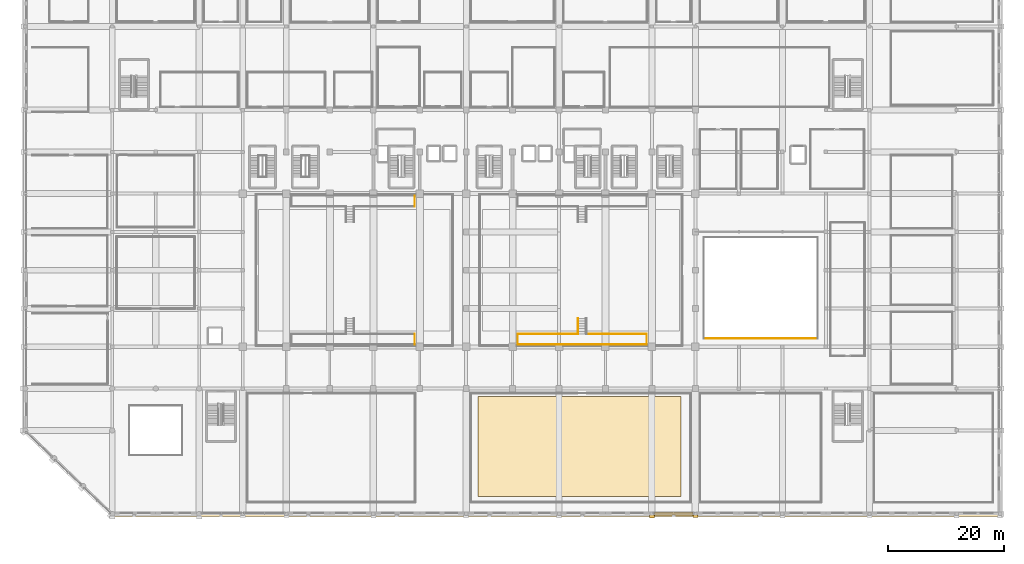
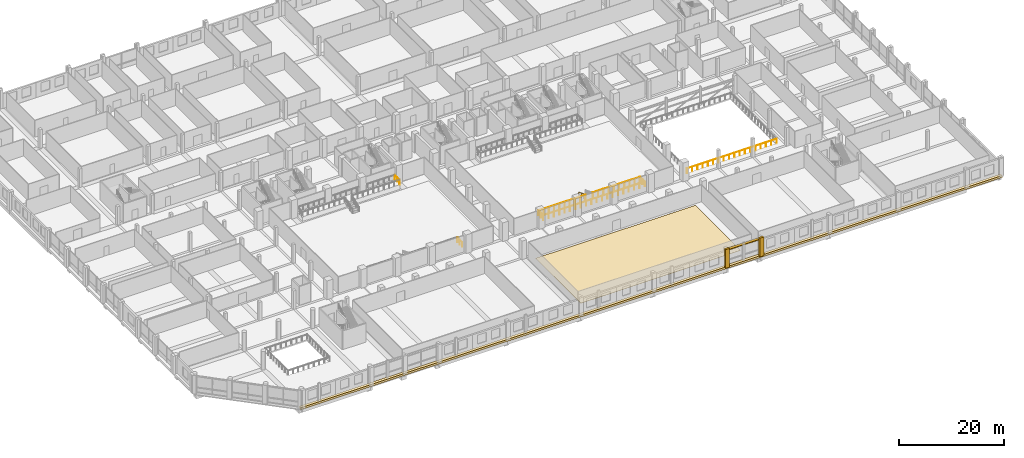
# One storey, part 60 of 68: 9 railings, 4 coverings, 1 shading device.
"""IFC4 building model written with IfcOpenShell, lengths in metres."""

from ifc_helpers import new_model, si_unit, direction, frame, origin, origin_2d, place, context, subcontext, project, spatial, rectangle, circle, extrude, material, layer, layer_set, type_object, element, save


model = new_model("IFC4")

# Units and contexts
model_context = context("Model", 3, precision=1e-05, world=origin(), true_north=direction((0.0, 1.0)))
body_context = subcontext(model_context, "Body", "Model", "MODEL_VIEW")
ifc_project = project(units=[si_unit("LENGTHUNIT", "METRE"), si_unit("AREAUNIT", "SQUARE_METRE"), si_unit("VOLUMEUNIT", "CUBIC_METRE"), si_unit("PLANEANGLEUNIT", "RADIAN"), si_unit("MASSUNIT", "GRAM", prefix="KILO")], contexts=[model_context])

# Site, building, storey
site_placement = place(None, origin())
site = spatial("IfcSite", under=ifc_project, at=site_placement, CompositionType="ELEMENT")
building_placement = place(site_placement, origin())
building = spatial("IfcBuilding", under=site, at=building_placement, Name="Akrevak Sports Hall", CompositionType="ELEMENT")
storey_placement = place(building_placement, frame((0.0, 0.0, 9.39990234375)))
storey = spatial("IfcBuildingStorey", under=building, at=storey_placement, Name="L02", CompositionType="ELEMENT", Elevation=9.39990234375)

# Coverings
ifc_material_1 = material(Name="Limestone Ashlar", Category="stone")
ifc_layer_1 = layer(ifc_material_1, 0.6201171875, Name="Limestone Ashlar")
ifc_layer_set_1 = layer_set([ifc_layer_1], Name="Limestone Ashlar")
covering_type_1 = type_object("IfcCoveringType", Name="ARC-COV-CRN-LIM", PredefinedType="MOLDING", material=ifc_layer_set_1)
covering_1_placement = place(storey_placement, frame((91.5, -0.139892578125, -0.349853515625), z_axis=(0.0, 0.0, 1.0), x_axis=(1.0, 0.0, 0.0)))
element("IfcCovering", 1, at=covering_1_placement, inside=storey, type_object=covering_type_1, Name="Tripartite Base Limestone Belt Course L02-BLT-01", PredefinedType="MOLDING", context=body_context, shape_type="SweptSolid", body=[
    extrude(rectangle(XDim=153.615966796875, YDim=0.60009765625, at=origin_2d()), origin(), (0.0, 0.0, 1.0), 0.4599609375),
])
ifc_material_2 = material(Name="Sprung Hard Maple Sports Flooring", Category="wood")
ifc_layer_2 = layer(ifc_material_2, 0.044921875, Name="Sprung Hard Maple Sports Flooring")
ifc_layer_set_2 = layer_set([ifc_layer_2], Name="Sprung Hard Maple Sports Flooring")
covering_type_2 = type_object("IfcCoveringType", Name="ARC-COV-FLR-MAPLE", PredefinedType="FLOORING", material=ifc_layer_set_2)
covering_2_placement = place(storey_placement, frame((95.5, 11.60009765625, 0.000244140625), z_axis=(0.0, 0.0, 1.0), x_axis=(1.0, 0.0, 0.0)))
element("IfcCovering", 2, at=covering_2_placement, inside=storey, type_object=covering_type_2, Name="Dance Studio 2 Sprung Flooring", PredefinedType="FLOORING", context=body_context, shape_type="SweptSolid", body=[
    extrude(rectangle(XDim=35.0, YDim=17.199951171875, at=origin_2d()), origin(), (0.0, 0.0, 1.0), 0.044921875),
])
ifc_layer_3 = layer(ifc_material_1, 0.47998046875, Name="Limestone Ashlar")
ifc_layer_set_3 = layer_set([ifc_layer_3], Name="Limestone Ashlar")
covering_type_3 = type_object("IfcCoveringType", Name="ARC-COV-PIL-LIM", PredefinedType="CLADDING", material=ifc_layer_set_3)
for number, where, z_axis, x_axis, name in (
    (3, (108.0, -0.449951171875, 0.0), (0.0, 0.0, 1.0), (1.0, 0.0, 0.0), "Giant-Order Limestone Pilaster L02-01-08"),
    (4, (115.5, -0.425048828125, 0.0), (0.0, 0.0, 1.0), (1.0, 0.0, 0.0), "Giant-Order Limestone Pilaster L02-01-09"),
):
    element("IfcCovering", number, at=place(storey_placement, frame(where, z_axis=z_axis, x_axis=x_axis)), inside=storey, type_object=covering_type_3, Name=name, PredefinedType="CLADDING", context=body_context, shape_type="SweptSolid", body=[
        extrude(rectangle(XDim=0.8798828125, YDim=0.4599609375, at=origin_2d()), origin(), (0.0, 0.0, 1.0), 4.320068359375),
    ])

# Railings
ifc_material_3 = material(Name="Painted Architectural Balustrade Steel", Category="steel")
ifc_layer_4 = layer(ifc_material_3, 0.06005859375, Name="Painted Architectural Balustrade Steel")
ifc_layer_set_4 = layer_set([ifc_layer_4], Name="Painted Architectural Balustrade Steel")
railing_type_1 = type_object("IfcRailingType", Name="ARC-RL-GRD-1120", PredefinedType="GUARDRAIL", material=ifc_layer_set_4)
railing_1_placement = place(storey_placement, frame((95.280029296875, 33.719970703125, 0.0)))
element("IfcRailing", 5, at=railing_1_placement, inside=storey, type_object=railing_type_1, Name="Volleyball South Stand Gangway 7 Side Guardrail L", PredefinedType="GUARDRAIL", context=body_context, shape_type="SweptSolid", body=[
    extrude(circle(Radius=0.02392578125, at=origin_2d()), frame((0.0, 0.0, 1.09619140625), z_axis=(0.0, -0.931996763482, 0.362466595509), x_axis=(1.0, 0.0, 0.0)), (0.0, 0.0, 1.0), 2.89697265625),
    extrude(circle(Radius=0.02099609375, at=origin_2d()), origin(), (0.0, 0.0, 1.0), 1.072021484375),
    extrude(circle(Radius=0.02099609375, at=origin_2d()), frame((0.0, -0.89990234375, 0.35009765625)), (0.0, 0.0, 1.0), 1.072021484375),
    extrude(circle(Radius=0.02099609375, at=origin_2d()), frame((0.0, -1.800048828125, 0.699951171875)), (0.0, 0.0, 1.0), 1.072021484375),
    extrude(circle(Radius=0.02099609375, at=origin_2d()), frame((0.0, -2.699951171875, 1.050048828125)), (0.0, 0.0, 1.0), 1.072021484375),
])
for number, where, name in (
    (6, (67.1201171875, 29.179931640625, 1.050048828125), "Spectator Stand Crowd Barrier BB-S1-E"),
    (7, (67.1201171875, 52.97998046875, 1.050048828125), "Spectator Stand Crowd Barrier BB-N1-E"),
):
    element("IfcRailing", number, at=place(storey_placement, frame(where)), inside=storey, type_object=railing_type_1, Name=name, PredefinedType="GUARDRAIL", context=body_context, shape_type="SweptSolid", body=[
        extrude(circle(Radius=0.02392578125, at=origin_2d()), frame((0.0, 0.0, 1.09619140625), z_axis=(0.0, 1.0, 0.0), x_axis=(-1.0, 0.0, 0.0)), (0.0, 0.0, 1.0), 1.840087890625),
        extrude(circle(Radius=0.02099609375, at=origin_2d()), origin(), (0.0, 0.0, 1.0), 1.072021484375),
        extrude(circle(Radius=0.02099609375, at=origin_2d()), frame((0.0, 0.919921875, 0.0)), (0.0, 0.0, 1.0), 1.072021484375),
        extrude(circle(Radius=0.02099609375, at=origin_2d()), frame((0.0, 1.840087890625, 0.0)), (0.0, 0.0, 1.0), 1.072021484375),
    ])
railing_2_placement = place(storey_placement, frame((84.8798828125, 29.179931640625, 1.050048828125)))
element("IfcRailing", 8, at=railing_2_placement, inside=storey, type_object=railing_type_1, Name="Spectator Stand Crowd Barrier VB-S1-BACK", PredefinedType="GUARDRAIL", context=body_context, shape_type="SweptSolid", body=[
    extrude(circle(Radius=0.02392578125, at=origin_2d()), frame((0.0, 0.0, 1.09619140625), z_axis=(1.0, 0.0, 0.0), x_axis=(0.0, 1.0, 0.0)), (0.0, 0.0, 1.0), 22.240234375),
    extrude(circle(Radius=0.02099609375, at=origin_2d()), origin(), (0.0, 0.0, 1.0), 1.072021484375),
    extrude(circle(Radius=0.02099609375, at=origin_2d()), frame((1.170654296875, 0.0, 0.0)), (0.0, 0.0, 1.0), 1.072021484375),
    extrude(circle(Radius=0.02099609375, at=origin_2d()), frame((2.341064453125, 0.0, 0.0)), (0.0, 0.0, 1.0), 1.072021484375),
    extrude(circle(Radius=0.02099609375, at=origin_2d()), frame((3.51171875, 0.0, 0.0)), (0.0, 0.0, 1.0), 1.072021484375),
    extrude(circle(Radius=0.02099609375, at=origin_2d()), frame((4.68212890625, 0.0, 0.0)), (0.0, 0.0, 1.0), 1.072021484375),
    extrude(circle(Radius=0.02099609375, at=origin_2d()), frame((5.852783203125, 0.0, 0.0)), (0.0, 0.0, 1.0), 1.072021484375),
    extrude(circle(Radius=0.02099609375, at=origin_2d()), frame((7.023193359375, 0.0, 0.0)), (0.0, 0.0, 1.0), 1.072021484375),
    extrude(circle(Radius=0.02099609375, at=origin_2d()), frame((8.19384765625, 0.0, 0.0)), (0.0, 0.0, 1.0), 1.072021484375),
    extrude(circle(Radius=0.02099609375, at=origin_2d()), frame((9.3642578125, 0.0, 0.0)), (0.0, 0.0, 1.0), 1.072021484375),
    extrude(circle(Radius=0.02099609375, at=origin_2d()), frame((10.534912109375, 0.0, 0.0)), (0.0, 0.0, 1.0), 1.072021484375),
    extrude(circle(Radius=0.02099609375, at=origin_2d()), frame((11.705322265625, 0.0, 0.0)), (0.0, 0.0, 1.0), 1.072021484375),
    extrude(circle(Radius=0.02099609375, at=origin_2d()), frame((12.8759765625, 0.0, 0.0)), (0.0, 0.0, 1.0), 1.072021484375),
    extrude(circle(Radius=0.02099609375, at=origin_2d()), frame((14.04638671875, 0.0, 0.0)), (0.0, 0.0, 1.0), 1.072021484375),
    extrude(circle(Radius=0.02099609375, at=origin_2d()), frame((15.217041015625, 0.0, 0.0)), (0.0, 0.0, 1.0), 1.072021484375),
    extrude(circle(Radius=0.02099609375, at=origin_2d()), frame((16.387451171875, 0.0, 0.0)), (0.0, 0.0, 1.0), 1.072021484375),
    extrude(circle(Radius=0.02099609375, at=origin_2d()), frame((17.55810546875, 0.0, 0.0)), (0.0, 0.0, 1.0), 1.072021484375),
    extrude(circle(Radius=0.02099609375, at=origin_2d()), frame((18.728515625, 0.0, 0.0)), (0.0, 0.0, 1.0), 1.072021484375),
    extrude(circle(Radius=0.02099609375, at=origin_2d()), frame((19.899169921875, 0.0, 0.0)), (0.0, 0.0, 1.0), 1.072021484375),
    extrude(circle(Radius=0.02099609375, at=origin_2d()), frame((21.069580078125, 0.0, 0.0)), (0.0, 0.0, 1.0), 1.072021484375),
    extrude(circle(Radius=0.02099609375, at=origin_2d()), frame((22.240234375, 0.0, 0.0)), (0.0, 0.0, 1.0), 1.072021484375),
])
for number, where, name in (
    (9, (84.8798828125, 29.179931640625, 1.050048828125), "Spectator Stand Crowd Barrier VB-S1-W"),
    (10, (107.1201171875, 29.179931640625, 1.050048828125), "Spectator Stand Crowd Barrier VB-S1-E"),
):
    element("IfcRailing", number, at=place(storey_placement, frame(where)), inside=storey, type_object=railing_type_1, Name=name, PredefinedType="GUARDRAIL", context=body_context, shape_type="SweptSolid", body=[
        extrude(circle(Radius=0.02392578125, at=origin_2d()), frame((0.0, 0.0, 1.09619140625), z_axis=(0.0, 1.0, 0.0), x_axis=(-1.0, 0.0, 0.0)), (0.0, 0.0, 1.0), 1.840087890625),
        extrude(circle(Radius=0.02099609375, at=origin_2d()), origin(), (0.0, 0.0, 1.0), 1.072021484375),
        extrude(circle(Radius=0.02099609375, at=origin_2d()), frame((0.0, 0.919921875, 0.0)), (0.0, 0.0, 1.0), 1.072021484375),
        extrude(circle(Radius=0.02099609375, at=origin_2d()), frame((0.0, 1.840087890625, 0.0)), (0.0, 0.0, 1.0), 1.072021484375),
    ])
for number, where, name in (
    (11, (84.8798828125, 31.02001953125, 1.050048828125), "Spectator Stand Crowd Barrier VB-S1-FR-L"),
    (12, (96.830078125, 31.02001953125, 1.050048828125), "Spectator Stand Crowd Barrier VB-S1-FR-R"),
):
    element("IfcRailing", number, at=place(storey_placement, frame(where)), inside=storey, type_object=railing_type_1, Name=name, PredefinedType="GUARDRAIL", context=body_context, shape_type="SweptSolid", body=[
        extrude(circle(Radius=0.02392578125, at=origin_2d()), frame((0.0, 0.0, 1.09619140625), z_axis=(1.0, 0.0, 0.0), x_axis=(0.0, 1.0, 0.0)), (0.0, 0.0, 1.0), 10.2900390625),
        extrude(circle(Radius=0.02099609375, at=origin_2d()), origin(), (0.0, 0.0, 1.0), 1.072021484375),
        extrude(circle(Radius=0.02099609375, at=origin_2d()), frame((1.143310546875, 0.0, 0.0)), (0.0, 0.0, 1.0), 1.072021484375),
        extrude(circle(Radius=0.02099609375, at=origin_2d()), frame((2.28662109375, 0.0, 0.0)), (0.0, 0.0, 1.0), 1.072021484375),
        extrude(circle(Radius=0.02099609375, at=origin_2d()), frame((3.429931640625, 0.0, 0.0)), (0.0, 0.0, 1.0), 1.072021484375),
        extrude(circle(Radius=0.02099609375, at=origin_2d()), frame((4.5732421875, 0.0, 0.0)), (0.0, 0.0, 1.0), 1.072021484375),
        extrude(circle(Radius=0.02099609375, at=origin_2d()), frame((5.716796875, 0.0, 0.0)), (0.0, 0.0, 1.0), 1.072021484375),
        extrude(circle(Radius=0.02099609375, at=origin_2d()), frame((6.860107421875, 0.0, 0.0)), (0.0, 0.0, 1.0), 1.072021484375),
        extrude(circle(Radius=0.02099609375, at=origin_2d()), frame((8.00341796875, 0.0, 0.0)), (0.0, 0.0, 1.0), 1.072021484375),
        extrude(circle(Radius=0.02099609375, at=origin_2d()), frame((9.146728515625, 0.0, 0.0)), (0.0, 0.0, 1.0), 1.072021484375),
        extrude(circle(Radius=0.02099609375, at=origin_2d()), frame((10.2900390625, 0.0, 0.0)), (0.0, 0.0, 1.0), 1.072021484375),
    ])
ifc_material_4 = material(Name="Anodized Bronze Aluminium & Laminated Glass", Category="aluminium")
ifc_layer_5 = layer(ifc_material_4, 0.080078125, Name="Anodized Bronze Aluminium & Laminated Glass")
ifc_layer_set_5 = layer_set([ifc_layer_5], Name="Anodized Bronze Aluminium & Laminated Glass")
railing_type_2 = type_object("IfcRailingType", Name="ARC-RL-GRD-1150", PredefinedType="GUARDRAIL", material=ifc_layer_set_5)
railing_3_placement = place(storey_placement, frame((116.919921875, 30.219970703125, 0.0)))
element("IfcRailing", 13, at=railing_3_placement, inside=storey, type_object=railing_type_2, Name="Atrium/Arena Gallery Guardrail L02-CLM-S", PredefinedType="GUARDRAIL", context=body_context, shape_type="SweptSolid", body=[
    extrude(circle(Radius=0.02392578125, at=origin_2d()), frame((0.0, 0.0, 1.1259765625), z_axis=(1.0, 0.0, 0.0), x_axis=(0.0, 1.0, 0.0)), (0.0, 0.0, 1.0), 19.66015625),
    extrude(circle(Radius=0.02099609375, at=origin_2d()), origin(), (0.0, 0.0, 1.0), 1.101806640625),
    extrude(circle(Radius=0.02099609375, at=origin_2d()), frame((1.156494140625, 0.0, 0.0)), (0.0, 0.0, 1.0), 1.101806640625),
    extrude(circle(Radius=0.02099609375, at=origin_2d()), frame((2.31298828125, 0.0, 0.0)), (0.0, 0.0, 1.0), 1.101806640625),
    extrude(circle(Radius=0.02099609375, at=origin_2d()), frame((3.469482421875, 0.0, 0.0)), (0.0, 0.0, 1.0), 1.101806640625),
    extrude(circle(Radius=0.02099609375, at=origin_2d()), frame((4.6259765625, 0.0, 0.0)), (0.0, 0.0, 1.0), 1.101806640625),
    extrude(circle(Radius=0.02099609375, at=origin_2d()), frame((5.782470703125, 0.0, 0.0)), (0.0, 0.0, 1.0), 1.101806640625),
    extrude(circle(Radius=0.02099609375, at=origin_2d()), frame((6.93896484375, 0.0, 0.0)), (0.0, 0.0, 1.0), 1.101806640625),
    extrude(circle(Radius=0.02099609375, at=origin_2d()), frame((8.095458984375, 0.0, 0.0)), (0.0, 0.0, 1.0), 1.101806640625),
    extrude(circle(Radius=0.02099609375, at=origin_2d()), frame((9.251953125, 0.0, 0.0)), (0.0, 0.0, 1.0), 1.101806640625),
    extrude(circle(Radius=0.02099609375, at=origin_2d()), frame((10.408203125, 0.0, 0.0)), (0.0, 0.0, 1.0), 1.101806640625),
    extrude(circle(Radius=0.02099609375, at=origin_2d()), frame((11.564697265625, 0.0, 0.0)), (0.0, 0.0, 1.0), 1.101806640625),
    extrude(circle(Radius=0.02099609375, at=origin_2d()), frame((12.72119140625, 0.0, 0.0)), (0.0, 0.0, 1.0), 1.101806640625),
    extrude(circle(Radius=0.02099609375, at=origin_2d()), frame((13.877685546875, 0.0, 0.0)), (0.0, 0.0, 1.0), 1.101806640625),
    extrude(circle(Radius=0.02099609375, at=origin_2d()), frame((15.0341796875, 0.0, 0.0)), (0.0, 0.0, 1.0), 1.101806640625),
    extrude(circle(Radius=0.02099609375, at=origin_2d()), frame((16.190673828125, 0.0, 0.0)), (0.0, 0.0, 1.0), 1.101806640625),
    extrude(circle(Radius=0.02099609375, at=origin_2d()), frame((17.34716796875, 0.0, 0.0)), (0.0, 0.0, 1.0), 1.101806640625),
    extrude(circle(Radius=0.02099609375, at=origin_2d()), frame((18.503662109375, 0.0, 0.0)), (0.0, 0.0, 1.0), 1.101806640625),
    extrude(circle(Radius=0.02099609375, at=origin_2d()), frame((19.66015625, 0.0, 0.0)), (0.0, 0.0, 1.0), 1.101806640625),
])

# Shading device
ifc_material_5 = material(Name="Anodized Bronze Aluminium", Category="aluminium")
shading_device_type = type_object("IfcShadingDeviceType", Name="ARC-SHD-BRZ-300", PredefinedType="JALOUSIE", material=ifc_material_5)
shading_device_placement = place(storey_placement, frame((111.762451171875, 0.06005859375, 3.6103515625), z_axis=(0.0, 0.0, 1.0), x_axis=(1.0, 0.0, 0.0)))
element("IfcShadingDevice", 14, at=shading_device_placement, inside=storey, type_object=shading_device_type, Name="Bronze Sun-Shading Louvre SH-06", PredefinedType="JALOUSIE", context=body_context, shape_type="SweptSolid", body=[
    extrude(rectangle(XDim=6.64794921875, YDim=0.56005859375, at=origin_2d()), origin(), (0.0, 0.0, 1.0), 0.179931640625),
])

save(model, "model.ifc")
